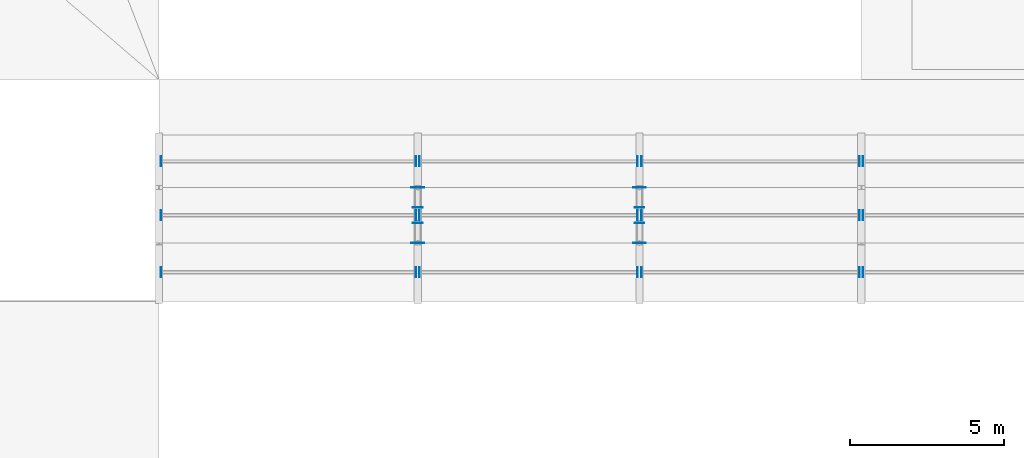
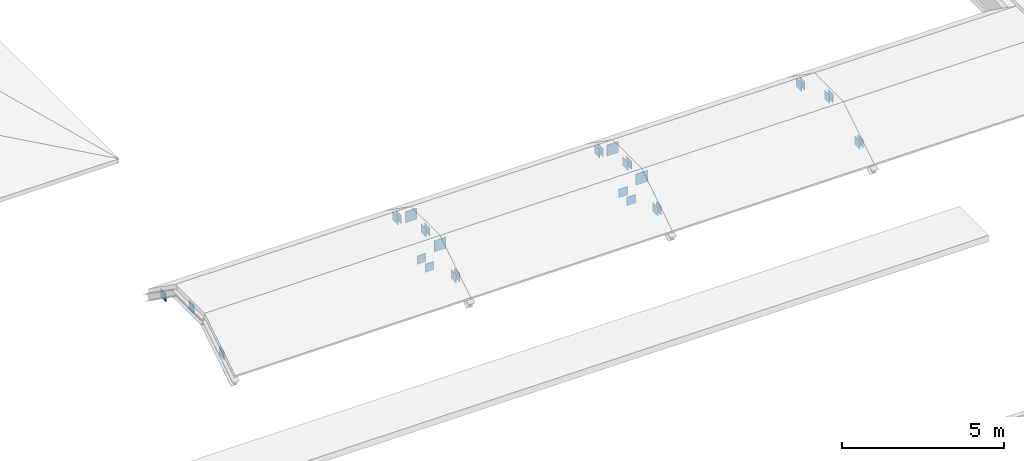
# One storey, part 12 of 27: 29 plates.
"""IFC4 building model written with IfcOpenShell, lengths in metres."""

from ifc_helpers import new_model, si_unit, direction, frame, origin, origin_2d, place, context, subcontext, project, spatial, rectangle, extrude, material, layer, layer_set, type_object, element, save


model = new_model("IFC4")

# Units and contexts
model_context = context("Model", 3, precision=1e-05, world=origin(), true_north=direction((0.0, 1.0)))
body_context = subcontext(model_context, "Body", "Model", "MODEL_VIEW")
ifc_project = project(units=[si_unit("LENGTHUNIT", "METRE"), si_unit("AREAUNIT", "SQUARE_METRE"), si_unit("VOLUMEUNIT", "CUBIC_METRE"), si_unit("PLANEANGLEUNIT", "RADIAN"), si_unit("MASSUNIT", "GRAM", prefix="KILO")], contexts=[model_context])

# Site, building, storey
site_placement = place(None, origin())
site = spatial("IfcSite", under=ifc_project, at=site_placement, CompositionType="ELEMENT")
building_placement = place(site_placement, origin())
building = spatial("IfcBuilding", under=site, at=building_placement, Name="Tazoul Stagehouse", CompositionType="ELEMENT")
storey_placement = place(building_placement, frame((0.0, 0.0, 24.89990234375)))
storey = spatial("IfcBuildingStorey", under=building, at=storey_placement, Name="RF", CompositionType="ELEMENT", Elevation=24.89990234375)

# Plates
ifc_material = material(Name="Steel S355", Category="steel")
ifc_layer_1 = layer(ifc_material, 0.02001953125, Name="Steel S355")
ifc_layer_set_1 = layer_set([ifc_layer_1], Name="Steel S355")
plate_type_1 = type_object("IfcPlateType", Name="Steel Brace End-Cap Plate 320x320x20 (Exterior)", PredefinedType="USERDEFINED", material=ifc_layer_set_1)
for number, where, z_axis, x_axis, name in (
    (1, (36.0, 47.14990234375, -12.16015625), (0.0, 0.0, 1.0), (0.0, -1.0, 0.0), "RF Gusset End-Cap Plate GP-01E (BR-VP-WEB-36-1-1)"),
    (2, (36.0, 47.64990234375, -12.16015625), (0.0, 0.0, 1.0), (0.0, 1.0, 0.0), "RF Gusset End-Cap Plate GP-01E (BR-VP-WEB-36-2-1)"),
    (3, (43.199951171875, 47.14990234375, -12.16015625), (0.0, 0.0, 1.0), (0.0, -1.0, 0.0), "RF Gusset End-Cap Plate GP-01E (BR-VP-WEB-43-1-1)"),
    (4, (43.199951171875, 47.64990234375, -12.16015625), (0.0, 0.0, 1.0), (0.0, 1.0, 0.0), "RF Gusset End-Cap Plate GP-01E (BR-VP-WEB-43-2-1)"),
    (5, (27.659912109375, 45.550048828125, -11.52001953125), (0.0, 0.0, 1.0), (1.0, 0.0, 0.0), "RF Purlin End-Cap Plate GP-01E (PURL-VP-W1-1-1)"),
    (6, (35.93994140625, 45.550048828125, -11.52001953125), (0.0, 0.0, 1.0), (1.0, 0.0, 0.0), "RF Purlin End-Cap Plate GP-01E (PURL-VP-W1-1-2)"),
    (7, (27.659912109375, 47.39990234375, -10.919921875), (0.0, 0.0, 1.0), (1.0, 0.0, 0.0), "RF Purlin End-Cap Plate GP-01E (PURL-VP-W1-2-1)"),
    (8, (35.93994140625, 47.39990234375, -10.919921875), (0.0, 0.0, 1.0), (1.0, 0.0, 0.0), "RF Purlin End-Cap Plate GP-01E (PURL-VP-W1-2-2)"),
    (9, (27.659912109375, 49.14990234375, -11.52001953125), (0.0, 0.0, 1.0), (1.0, 0.0, 0.0), "RF Purlin End-Cap Plate GP-01E (PURL-VP-W1-3-1)"),
    (10, (35.93994140625, 49.14990234375, -11.52001953125), (0.0, 0.0, 1.0), (1.0, 0.0, 0.0), "RF Purlin End-Cap Plate GP-01E (PURL-VP-W1-3-2)"),
    (11, (36.06005859375, 45.550048828125, -11.52001953125), (0.0, 0.0, 1.0), (1.0, 0.0, 0.0), "RF Purlin End-Cap Plate GP-01E (PURL-VP-W2-1-1)"),
    (12, (43.139892578125, 45.550048828125, -11.52001953125), (0.0, 0.0, 1.0), (1.0, 0.0, 0.0), "RF Purlin End-Cap Plate GP-01E (PURL-VP-W2-1-2)"),
    (13, (36.06005859375, 47.39990234375, -10.919921875), (0.0, 0.0, 1.0), (1.0, 0.0, 0.0), "RF Purlin End-Cap Plate GP-01E (PURL-VP-W2-2-1)"),
    (14, (43.139892578125, 47.39990234375, -10.919921875), (0.0, 0.0, 1.0), (1.0, 0.0, 0.0), "RF Purlin End-Cap Plate GP-01E (PURL-VP-W2-2-2)"),
    (15, (36.06005859375, 49.14990234375, -11.52001953125), (0.0, 0.0, 1.0), (1.0, 0.0, 0.0), "RF Purlin End-Cap Plate GP-01E (PURL-VP-W2-3-1)"),
    (16, (43.139892578125, 49.14990234375, -11.52001953125), (0.0, 0.0, 1.0), (1.0, 0.0, 0.0), "RF Purlin End-Cap Plate GP-01E (PURL-VP-W2-3-2)"),
    (17, (43.260009765625, 45.550048828125, -11.52001953125), (0.0, 0.0, 1.0), (1.0, 0.0, 0.0), "RF Purlin End-Cap Plate GP-01E (PURL-VP-W3-1-1)"),
    (18, (50.340087890625, 45.550048828125, -11.52001953125), (0.0, 0.0, 1.0), (1.0, 0.0, 0.0), "RF Purlin End-Cap Plate GP-01E (PURL-VP-W3-1-2)"),
    (19, (43.260009765625, 47.39990234375, -10.919921875), (0.0, 0.0, 1.0), (1.0, 0.0, 0.0), "RF Purlin End-Cap Plate GP-01E (PURL-VP-W3-2-1)"),
    (20, (50.340087890625, 47.39990234375, -10.919921875), (0.0, 0.0, 1.0), (1.0, 0.0, 0.0), "RF Purlin End-Cap Plate GP-01E (PURL-VP-W3-2-2)"),
    (21, (43.260009765625, 49.14990234375, -11.52001953125), (0.0, 0.0, 1.0), (1.0, 0.0, 0.0), "RF Purlin End-Cap Plate GP-01E (PURL-VP-W3-3-1)"),
    (22, (50.340087890625, 49.14990234375, -11.52001953125), (0.0, 0.0, 1.0), (1.0, 0.0, 0.0), "RF Purlin End-Cap Plate GP-01E (PURL-VP-W3-3-2)"),
    (23, (50.4599609375, 45.550048828125, -11.52001953125), (0.0, 0.0, 1.0), (1.0, 0.0, 0.0), "RF Purlin End-Cap Plate GP-01E (PURL-VP-W4-1-1)"),
    (24, (50.4599609375, 47.39990234375, -10.919921875), (0.0, 0.0, 1.0), (1.0, 0.0, 0.0), "RF Purlin End-Cap Plate GP-01E (PURL-VP-W4-2-1)"),
    (25, (50.4599609375, 49.14990234375, -11.52001953125), (0.0, 0.0, 1.0), (1.0, 0.0, 0.0), "RF Purlin End-Cap Plate GP-01E (PURL-VP-W4-3-1)"),
):
    element("IfcPlate", number, at=place(storey_placement, frame(where, z_axis=z_axis, x_axis=x_axis)), inside=storey, type_object=plate_type_1, Name=name, ObjectType="GUSSET PLATE", PredefinedType="USERDEFINED", context=body_context, shape_type="SweptSolid", body=[
        extrude(rectangle(XDim=0.02001953125, YDim=0.320068359375, at=origin_2d()), origin(), (0.0, 0.0, 1.0), 0.320068359375),
    ])
ifc_layer_2 = layer(ifc_material, 0.02392578125, Name="Steel S355")
ifc_layer_set_2 = layer_set([ifc_layer_2], Name="Steel S355")
plate_type_2 = type_object("IfcPlateType", Name="Steel Gusset Node Plate 420x420x24 (Exterior)", PredefinedType="USERDEFINED", material=ifc_layer_set_2)
for number, where, z_axis, x_axis, name in (
    (26, (36.0, 46.5, -10.969970703125), (0.0, 0.0, 1.0), (0.0, -1.0, 0.0), "RF Gusset End-Cap Plate GP-02E (BR-VP-WEB-36-1-2)"),
    (27, (36.0, 48.300048828125, -10.969970703125), (0.0, 0.0, 1.0), (0.0, 1.0, 0.0), "RF Gusset End-Cap Plate GP-02E (BR-VP-WEB-36-2-2)"),
    (28, (43.199951171875, 46.5, -10.969970703125), (0.0, 0.0, 1.0), (0.0, -1.0, 0.0), "RF Gusset End-Cap Plate GP-02E (BR-VP-WEB-43-1-2)"),
    (29, (43.199951171875, 48.300048828125, -10.969970703125), (0.0, 0.0, 1.0), (0.0, 1.0, 0.0), "RF Gusset End-Cap Plate GP-02E (BR-VP-WEB-43-2-2)"),
):
    element("IfcPlate", number, at=place(storey_placement, frame(where, z_axis=z_axis, x_axis=x_axis)), inside=storey, type_object=plate_type_2, Name=name, ObjectType="GUSSET PLATE", PredefinedType="USERDEFINED", context=body_context, shape_type="SweptSolid", body=[
        extrude(rectangle(XDim=0.02392578125, YDim=0.419921875, at=origin_2d()), origin(), (0.0, 0.0, 1.0), 0.419921875),
    ])

save(model, "model.ifc")
